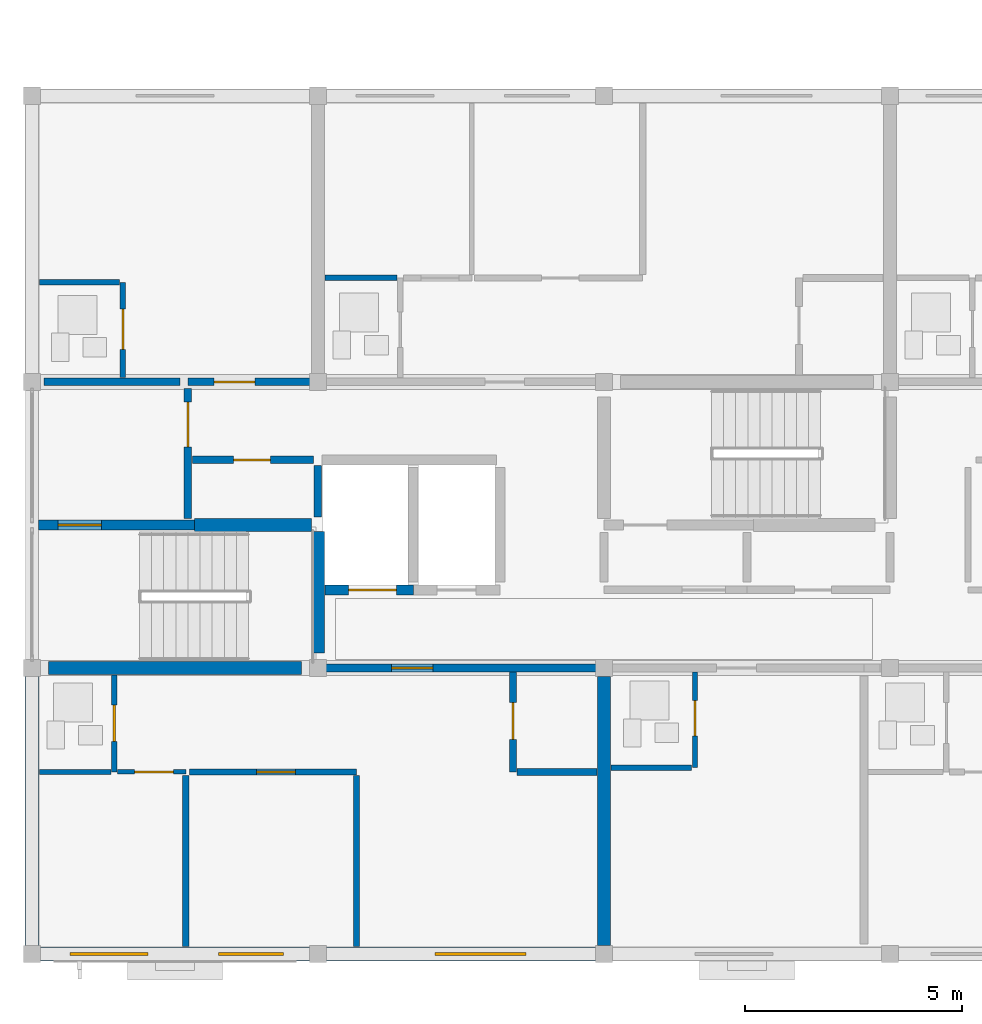
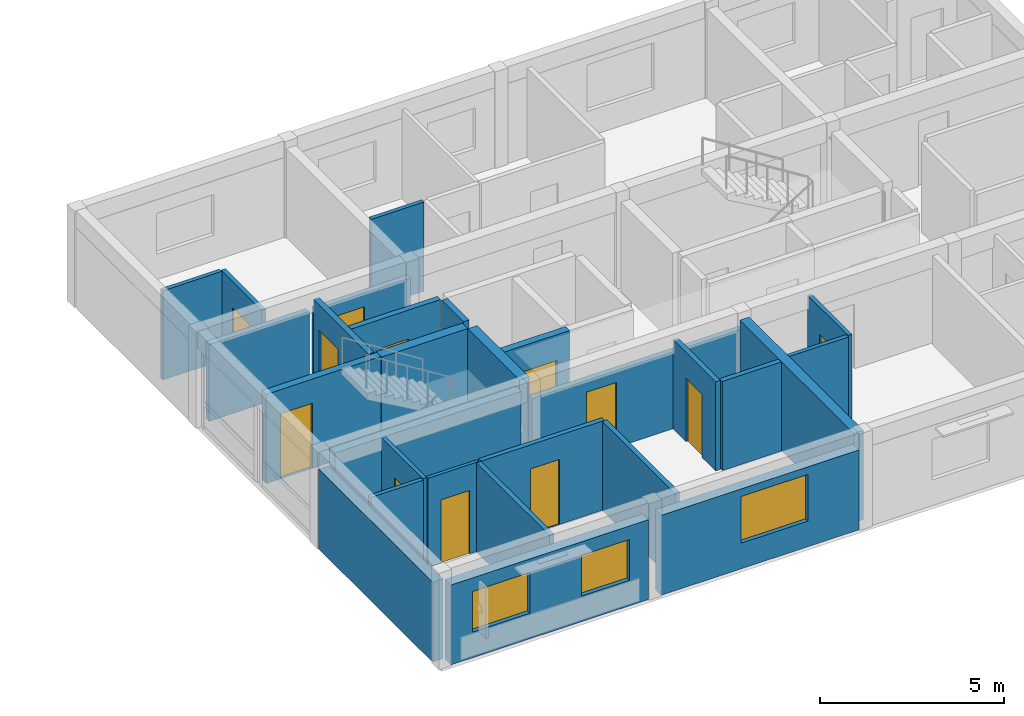
# One storey, part 27 of 53: 28 walls, 12 doors, 3 windows, 15 openings.
"""IFC4 building model written with IfcOpenShell, lengths in metres."""

from ifc_helpers import new_model, si_unit, direction, frame, frame_2d, origin, place, context, subcontext, project, spatial, rectangle, extrude, material, layer, layer_set, type_object, element, fill, save


model = new_model("IFC4")

# Units and contexts
model_context = context("Model", 3, precision=1e-05, world=origin(), true_north=direction((0.0, 1.0)))
body_context = subcontext(model_context, "Body", "Model", "MODEL_VIEW")
ifc_project = project(units=[si_unit("LENGTHUNIT", "METRE"), si_unit("AREAUNIT", "SQUARE_METRE"), si_unit("VOLUMEUNIT", "CUBIC_METRE"), si_unit("PLANEANGLEUNIT", "RADIAN"), si_unit("MASSUNIT", "GRAM", prefix="KILO")], contexts=[model_context])

# Site, building, storey
site_placement = place(None, origin())
site = spatial("IfcSite", under=ifc_project, at=site_placement, CompositionType="ELEMENT")
building_placement = place(site_placement, origin())
building = spatial("IfcBuilding", under=site, at=building_placement, Name="Kernevlak Ridge Housing Community", CompositionType="ELEMENT")
storey_placement = place(building_placement, frame((0.0, 0.0, 18.0)))
storey = spatial("IfcBuildingStorey", under=building, at=storey_placement, Name="L05", CompositionType="ELEMENT", Elevation=18.0)

# Wall, openings, windows
ifc_material_1 = material(Name="Concrete block masonry M10", Category="masonry")
ifc_layer_1 = layer(ifc_material_1, 0.320068359375, Name="Concrete block masonry M10")
ifc_layer_set_1 = layer_set([ifc_layer_1], Name="Concrete block masonry M10")
wall_type_1 = type_object("IfcWallType", Name="EW-02", PredefinedType="STANDARD", material=ifc_layer_set_1)
wall_1_placement = place(storey_placement, frame((15.800048828125, 15.60009765625, 0.0), z_axis=(0.0, 0.0, 1.0), x_axis=(1.0, 0.0, 0.0)))
wall_1 = element("IfcWall", 1, at=wall_1_placement, inside=storey, type_object=wall_type_1, Name="Exterior wall EW-02 L05 781", PredefinedType="STANDARD", context=body_context, shape_type="SweptSolid", body=[
    extrude(rectangle(XDim=6.199951171875, YDim=0.320068359375, at=frame_2d((3.10009765625, 0.0))), origin(), (0.0, 0.0, 1.0), 2.64990234375),
])
opening_1_placement = place(wall_1_placement, frame((0.675048828125, 0.0, 0.85009765625)))
opening_1 = element("IfcOpeningElement", 2, at=opening_1_placement, cuts=wall_1, Name="Opening WT-03", PredefinedType="OPENING", context=body_context, shape_type="SweptSolid", body=[
    extrude(rectangle(XDim=1.800048828125, YDim=1.35009765625, at=frame_2d((0.89990234375, 0.675048828125))), frame((0.0, 0.169921875, 0.0), z_axis=(0.0, -1.0, 0.0), x_axis=(1.0, 0.0, 0.0)), (0.0, 0.0, 1.0), 0.340087890625),
])
opening_2_placement = place(wall_1_placement, frame((4.10009765625, 0.0, 0.85009765625)))
opening_2 = element("IfcOpeningElement", 3, at=opening_2_placement, cuts=wall_1, Name="Opening WT-02", PredefinedType="OPENING", context=body_context, shape_type="SweptSolid", body=[
    extrude(rectangle(XDim=1.5, YDim=1.35009765625, at=frame_2d((0.75, 0.675048828125))), frame((0.0, 0.169921875, 0.0), z_axis=(0.0, -1.0, 0.0), x_axis=(1.0, 0.0, 0.0)), (0.0, 0.0, 1.0), 0.340087890625),
])
ifc_material_2 = material(Name="Aluminium EN AW-6060 anodised and laminated glass", Category="aluminium")
window_type_1 = type_object("IfcWindowType", Name="WT-02", PartitioningType="SINGLE_PANEL", PredefinedType="WINDOW", material=ifc_material_2)
window_1_placement = place(opening_2_placement, origin())
window_1 = element("IfcWindow", 4, at=window_1_placement, inside=storey, type_object=window_type_1, Name="Window WT-02 L05 651", OverallHeight=1.35009765625, OverallWidth=1.5, PartitioningType="SINGLE_PANEL", PredefinedType="WINDOW", context=body_context, shape_type="SweptSolid", body=[
    extrude(rectangle(XDim=1.5, YDim=1.35009765625, at=frame_2d((0.75, 0.675048828125))), frame((0.0, 0.030029296875, 0.0), z_axis=(0.0, -1.0, 0.0), x_axis=(1.0, 0.0, 0.0)), (0.0, 0.0, 1.0), 0.06005859375),
])
fill(opening_2, window_1)
window_type_2 = type_object("IfcWindowType", Name="WT-03", PartitioningType="SINGLE_PANEL", PredefinedType="WINDOW", material=ifc_material_2)
window_2_placement = place(opening_1_placement, origin())
window_2 = element("IfcWindow", 5, at=window_2_placement, inside=storey, type_object=window_type_2, Name="Window WT-03 L05 650", OverallHeight=1.35009765625, OverallWidth=1.800048828125, PartitioningType="SINGLE_PANEL", PredefinedType="WINDOW", context=body_context, shape_type="SweptSolid", body=[
    extrude(rectangle(XDim=1.800048828125, YDim=1.35009765625, at=frame_2d((0.89990234375, 0.675048828125))), frame((0.0, 0.030029296875, 0.0), z_axis=(0.0, -1.0, 0.0), x_axis=(1.0, 0.0, 0.0)), (0.0, 0.0, 1.0), 0.06005859375),
])
fill(opening_1, window_2)

# Wall, opening, window
wall_2_placement = place(storey_placement, frame((22.39990234375, 15.60009765625, 0.0), z_axis=(0.0, 0.0, 1.0), x_axis=(1.0, 0.0, 0.0)))
wall_2 = element("IfcWall", 6, at=wall_2_placement, inside=storey, type_object=wall_type_1, Name="Exterior wall EW-02 L05 782", PredefinedType="STANDARD", context=body_context, shape_type="SweptSolid", body=[
    extrude(rectangle(XDim=6.2001953125, YDim=0.320068359375, at=frame_2d((3.10009765625, 0.0))), origin(), (0.0, 0.0, 1.0), 2.64990234375),
])
opening_3_placement = place(wall_2_placement, frame((2.49609375, 0.0, 0.85009765625)))
opening_3 = element("IfcOpeningElement", 7, at=opening_3_placement, cuts=wall_2, Name="Opening WT-05", PredefinedType="OPENING", context=body_context, shape_type="SweptSolid", body=[
    extrude(rectangle(XDim=2.10009765625, YDim=1.550048828125, at=frame_2d((1.050048828125, 0.77490234375))), frame((0.0, 0.169921875, 0.0), z_axis=(0.0, -1.0, 0.0), x_axis=(1.0, 0.0, 0.0)), (0.0, 0.0, 1.0), 0.340087890625),
])
window_type_3 = type_object("IfcWindowType", Name="WT-05", PartitioningType="SINGLE_PANEL", PredefinedType="WINDOW", material=ifc_material_2)
window_3_placement = place(opening_3_placement, origin())
window_3 = element("IfcWindow", 8, at=window_3_placement, inside=storey, type_object=window_type_3, Name="Window WT-05 L05 652", OverallHeight=1.550048828125, OverallWidth=2.10009765625, PartitioningType="SINGLE_PANEL", PredefinedType="WINDOW", context=body_context, shape_type="SweptSolid", body=[
    extrude(rectangle(XDim=2.10009765625, YDim=1.550048828125, at=frame_2d((1.050048828125, 0.77490234375))), frame((0.0, 0.030029296875, 0.0), z_axis=(0.0, -1.0, 0.0), x_axis=(1.0, 0.0, 0.0)), (0.0, 0.0, 1.0), 0.06005859375),
])
fill(opening_3, window_3)

# Wall
wall_3_placement = place(storey_placement, frame((15.60009765625, 15.800048828125, 0.0), z_axis=(0.0, 0.0, 1.0), x_axis=(0.0, 1.0, 0.0)))
element("IfcWall", 9, at=wall_3_placement, inside=storey, type_object=wall_type_1, Name="Exterior wall EW-02 L05 791", PredefinedType="STANDARD", context=body_context, shape_type="SweptSolid", body=[
    extrude(rectangle(XDim=6.199951171875, YDim=0.320068359375, at=frame_2d((3.10009765625, 0.0))), origin(), (0.0, 0.0, 1.0), 2.64990234375),
])

# Wall, opening, door
ifc_material_3 = material(Name="Concrete C35/45", Category="concrete")
ifc_layer_2 = layer(ifc_material_3, 0.22509765625, Name="Concrete C35/45")
ifc_layer_set_2 = layer_set([ifc_layer_2], Name="Concrete C35/45")
wall_type_2 = type_object("IfcWallType", Name="PW-01", PredefinedType="STANDARD", material=ifc_layer_set_2)
wall_4_placement = place(storey_placement, frame((15.75, 25.5, 0.0), z_axis=(0.0, 0.0, 1.0), x_axis=(1.0, 0.0, 0.0)))
wall_4 = element("IfcWall", 10, at=wall_4_placement, inside=storey, type_object=wall_type_2, Name="Interior wall PW-01 WAL-INT-L05-3242", PredefinedType="STANDARD", context=body_context, shape_type="SweptSolid", body=[
    extrude(rectangle(XDim=3.60009765625, YDim=0.22509765625, at=frame_2d((1.800048828125, 0.0))), origin(), (0.0, 0.0, 1.0), 2.9599609375),
])
opening_4_placement = place(wall_4_placement, frame((0.449951171875, 0.0, 0.0)))
opening_4 = element("IfcOpeningElement", 11, at=opening_4_placement, cuts=wall_4, Name="Opening E645", PredefinedType="OPENING", context=body_context, shape_type="SweptSolid", body=[
    extrude(rectangle(XDim=1.0, YDim=2.159912109375, at=frame_2d((0.5, 1.080078125))), frame((0.0, 0.12255859375, 0.0), z_axis=(0.0, -1.0, 0.0), x_axis=(1.0, 0.0, 0.0)), (0.0, 0.0, 1.0), 0.2451171875),
])
ifc_material_4 = material(Name="Fire-rated sheet steel leaf", Category="steel")
door_type_1 = type_object("IfcDoorType", Name="DT-15", OperationType="NOTDEFINED", PredefinedType="DOOR", material=ifc_material_4)
door_1_placement = place(opening_4_placement, origin())
door_1 = element("IfcDoor", 12, at=door_1_placement, inside=storey, type_object=door_type_1, Name="Block D Stair 1 fire door E645", OperationType="SINGLE_SWING_RIGHT", OverallHeight=2.159912109375, OverallWidth=1.0, PredefinedType="DOOR", context=body_context, shape_type="SweptSolid", body=[
    extrude(rectangle(XDim=1.0, YDim=2.159912109375, at=frame_2d((0.5, 1.080078125))), frame((0.0, 0.02490234375, 0.0), z_axis=(0.0, -1.0, 0.0), x_axis=(1.0, 0.0, 0.0)), (0.0, 0.0, 1.0), 0.050048828125),
])
fill(opening_4, door_1)

wall_5_placement = place(storey_placement, frame((22.360107421875, 24.0, 0.0), z_axis=(0.0, 0.0, 1.0), x_axis=(1.0, 0.0, 0.0)))
wall_5 = element("IfcWall", 13, at=wall_5_placement, inside=storey, type_object=wall_type_2, Name="Interior wall PW-01 WAL-INT-L05-3246", PredefinedType="STANDARD", context=body_context, shape_type="SweptSolid", body=[
    extrude(rectangle(XDim=2.039794921875, YDim=0.22509765625, at=frame_2d((1.02001953125, 0.0))), origin(), (0.0, 0.0, 1.0), 2.9599609375),
])
opening_5_placement = place(wall_5_placement, frame((0.550048828125, 0.0, 0.0)))
opening_5 = element("IfcOpeningElement", 14, at=opening_5_placement, cuts=wall_5, Name="Opening LD88", PredefinedType="OPENING", context=body_context, shape_type="SweptSolid", body=[
    extrude(rectangle(XDim=1.10009765625, YDim=2.10009765625, at=frame_2d((0.550048828125, 1.050048828125))), frame((0.0, 0.12255859375, 0.0), z_axis=(0.0, -1.0, 0.0), x_axis=(1.0, 0.0, 0.0)), (0.0, 0.0, 1.0), 0.2451171875),
])
ifc_material_5 = material(Name="Stainless steel EN 1.4401", Category="steel")
door_type_2 = type_object("IfcDoorType", Name="DT-LD1", OperationType="DOUBLE_DOOR_SLIDING", PredefinedType="DOOR", material=ifc_material_5)
door_2_placement = place(opening_5_placement, origin())
door_2 = element("IfcDoor", 15, at=door_2_placement, inside=storey, type_object=door_type_2, Name="Lift LF-D1 landing door LD88", OperationType="DOUBLE_DOOR_SLIDING", OverallHeight=2.10009765625, OverallWidth=1.10009765625, PredefinedType="DOOR", context=body_context, shape_type="SweptSolid", body=[
    extrude(rectangle(XDim=1.10009765625, YDim=2.10009765625, at=frame_2d((0.550048828125, 1.050048828125))), frame((0.0, 0.02490234375, 0.0), z_axis=(0.0, -1.0, 0.0), x_axis=(1.0, 0.0, 0.0)), (0.0, 0.0, 1.0), 0.050048828125),
])
fill(opening_5, door_2)

ifc_layer_3 = layer(ifc_material_1, 0.175048828125, Name="Concrete block masonry M10")
ifc_layer_set_3 = layer_set([ifc_layer_3], Name="Concrete block masonry M10")
wall_type_3 = type_object("IfcWallType", Name="PW-02", PredefinedType="PARTITIONING", material=ifc_layer_set_3)
wall_6_placement = place(storey_placement, frame((19.199951171875, 25.64990234375, 0.0), z_axis=(0.0, 0.0, 1.0), x_axis=(0.0, 1.0, 0.0)))
wall_6 = element("IfcWall", 16, at=wall_6_placement, inside=storey, type_object=wall_type_3, Name="Interior wall PW-02 WAL-INT-L05-3243", PredefinedType="PARTITIONING", context=body_context, shape_type="SweptSolid", body=[
    extrude(rectangle(XDim=3.0, YDim=0.175048828125, at=frame_2d((1.5, 0.0))), origin(), (0.0, 0.0, 1.0), 2.9599609375),
])
opening_6_placement = place(wall_6_placement, frame((1.64990234375, 0.0, 0.0)))
opening_6 = element("IfcOpeningElement", 17, at=opening_6_placement, cuts=wall_6, Name="Opening E646", PredefinedType="OPENING", context=body_context, shape_type="SweptSolid", body=[
    extrude(rectangle(XDim=1.0400390625, YDim=2.1201171875, at=frame_2d((0.52001953125, 1.06005859375))), frame((0.0, 0.097412109375, 0.0), z_axis=(0.0, -1.0, 0.0), x_axis=(1.0, 0.0, 0.0)), (0.0, 0.0, 1.0), 0.195068359375),
])
door_type_3 = type_object("IfcDoorType", Name="DT-16", OperationType="NOTDEFINED", PredefinedType="DOOR", material=ifc_material_4)
door_3_placement = place(opening_6_placement, origin())
door_3 = element("IfcDoor", 18, at=door_3_placement, inside=storey, type_object=door_type_3, Name="Block D Firefighting lobby 1 door E646", OperationType="SINGLE_SWING_LEFT", OverallHeight=2.1201171875, OverallWidth=1.0400390625, PredefinedType="DOOR", context=body_context, shape_type="SweptSolid", body=[
    extrude(rectangle(XDim=1.0400390625, YDim=2.1201171875, at=frame_2d((0.52001953125, 1.06005859375))), frame((0.0, 0.02490234375, 0.0), z_axis=(0.0, -1.0, 0.0), x_axis=(1.0, 0.0, 0.0)), (0.0, 0.0, 1.0), 0.050048828125),
])
fill(opening_6, door_3)

wall_7_placement = place(storey_placement, frame((19.300048828125, 27.0, 0.0), z_axis=(0.0, 0.0, 1.0), x_axis=(1.0, 0.0, 0.0)))
wall_7 = element("IfcWall", 19, at=wall_7_placement, inside=storey, type_object=wall_type_3, Name="Interior wall PW-02 WAL-INT-L05-3244", PredefinedType="PARTITIONING", context=body_context, shape_type="SweptSolid", body=[
    extrude(rectangle(XDim=2.800048828125, YDim=0.175048828125, at=frame_2d((1.39990234375, 0.0))), origin(), (0.0, 0.0, 1.0), 2.9599609375),
])
opening_7_placement = place(wall_7_placement, frame((0.949951171875, 0.0, 0.0)))
opening_7 = element("IfcOpeningElement", 20, at=opening_7_placement, cuts=wall_7, Name="Opening E647", PredefinedType="OPENING", context=body_context, shape_type="SweptSolid", body=[
    extrude(rectangle(XDim=0.85009765625, YDim=2.0, at=frame_2d((0.425048828125, 1.0))), frame((0.0, 0.097412109375, 0.0), z_axis=(0.0, -1.0, 0.0), x_axis=(1.0, 0.0, 0.0)), (0.0, 0.0, 1.0), 0.195068359375),
])
door_type_4 = type_object("IfcDoorType", Name="DT-07", OperationType="NOTDEFINED", PredefinedType="DOOR", material=ifc_material_4)
door_4_placement = place(opening_7_placement, origin())
door_4 = element("IfcDoor", 21, at=door_4_placement, inside=storey, type_object=door_type_4, Name="Block D Riser shaft door E647", OperationType="SINGLE_SWING_RIGHT", OverallHeight=2.0, OverallWidth=0.85009765625, PredefinedType="DOOR", context=body_context, shape_type="SweptSolid", body=[
    extrude(rectangle(XDim=0.85009765625, YDim=2.0, at=frame_2d((0.425048828125, 1.0))), frame((0.0, 0.02490234375, 0.0), z_axis=(0.0, -1.0, 0.0), x_axis=(1.0, 0.0, 0.0)), (0.0, 0.0, 1.0), 0.050048828125),
])
fill(opening_7, door_4)

# Wall
wall_8_placement = place(storey_placement, frame((22.199951171875, 25.679931640625, 0.0), z_axis=(0.0, 0.0, 1.0), x_axis=(0.0, 1.0, 0.0)))
element("IfcWall", 22, at=wall_8_placement, inside=storey, type_object=wall_type_3, Name="Interior wall PW-02 WAL-INT-L05-3245", PredefinedType="PARTITIONING", context=body_context, shape_type="SweptSolid", body=[
    extrude(rectangle(XDim=1.190185546875, YDim=0.175048828125, at=frame_2d((0.59521484375, 0.0))), origin(), (0.0, 0.0, 1.0), 2.9599609375),
])

# Wall, opening, door
wall_9_placement = place(storey_placement, frame((22.199951171875, 22.199951171875, 0.0), z_axis=(0.0, 0.0, 1.0), x_axis=(1.0, 0.0, 0.0)))
wall_9 = element("IfcWall", 23, at=wall_9_placement, inside=storey, type_object=wall_type_3, Name="Interior wall PW-02 WAL-INT-L05-3261", PredefinedType="PARTITIONING", context=body_context, shape_type="SweptSolid", body=[
    extrude(rectangle(XDim=6.60009765625, YDim=0.175048828125, at=frame_2d((3.300048828125, 0.0))), origin(), (0.0, 0.0, 1.0), 2.550048828125),
])
opening_8_placement = place(wall_9_placement, frame((1.699951171875, 0.0, 0.0)))
opening_8 = element("IfcOpeningElement", 24, at=opening_8_placement, cuts=wall_9, Name="Opening E652", PredefinedType="OPENING", context=body_context, shape_type="SweptSolid", body=[
    extrude(rectangle(XDim=0.949951171875, YDim=2.159912109375, at=frame_2d((0.47509765625, 1.080078125))), frame((0.0, 0.097412109375, 0.0), z_axis=(0.0, -1.0, 0.0), x_axis=(1.0, 0.0, 0.0)), (0.0, 0.0, 1.0), 0.195068359375),
])
ifc_material_6 = material(Name="Hardwood timber solid-core fire leaf", Category="wood")
door_type_5 = type_object("IfcDoorType", Name="DT-02", OperationType="NOTDEFINED", PredefinedType="DOOR", material=ifc_material_6)
door_5_placement = place(opening_8_placement, origin())
door_5 = element("IfcDoor", 25, at=door_5_placement, inside=storey, type_object=door_type_5, Name="Flat D0511 entrance fire door E652", OperationType="SINGLE_SWING_LEFT", OverallHeight=2.159912109375, OverallWidth=0.949951171875, PredefinedType="DOOR", context=body_context, shape_type="SweptSolid", body=[
    extrude(rectangle(XDim=0.949951171875, YDim=2.159912109375, at=frame_2d((0.47509765625, 1.080078125))), frame((0.0, 0.02490234375, 0.0), z_axis=(0.0, -1.0, 0.0), x_axis=(1.0, 0.0, 0.0)), (0.0, 0.0, 1.0), 0.050048828125),
])
fill(opening_8, door_5)

# Wall
wall_10_placement = place(storey_placement, frame((15.8798828125, 28.800048828125, 0.0), z_axis=(0.0, 0.0, 1.0), x_axis=(1.0, 0.0, 0.0)))
element("IfcWall", 26, at=wall_10_placement, inside=storey, type_object=wall_type_3, Name="Interior wall PW-02 WAL-INT-L05-3281", PredefinedType="PARTITIONING", context=body_context, shape_type="SweptSolid", body=[
    extrude(rectangle(XDim=3.14013671875, YDim=0.175048828125, at=frame_2d((1.570068359375, 0.0))), origin(), (0.0, 0.0, 1.0), 2.550048828125),
])

# Wall, opening, door
wall_11_placement = place(storey_placement, frame((19.199951171875, 28.800048828125, 0.0), z_axis=(0.0, 0.0, 1.0), x_axis=(1.0, 0.0, 0.0)))
wall_11 = element("IfcWall", 27, at=wall_11_placement, inside=storey, type_object=wall_type_3, Name="Interior wall PW-02 WAL-INT-L05-3282", PredefinedType="PARTITIONING", context=body_context, shape_type="SweptSolid", body=[
    extrude(rectangle(XDim=3.0, YDim=0.175048828125, at=frame_2d((1.5, 0.0))), origin(), (0.0, 0.0, 1.0), 2.550048828125),
])
opening_9_placement = place(wall_11_placement, frame((0.60009765625, 0.0, 0.0)))
opening_9 = element("IfcOpeningElement", 28, at=opening_9_placement, cuts=wall_11, Name="Opening E663", PredefinedType="OPENING", context=body_context, shape_type="SweptSolid", body=[
    extrude(rectangle(XDim=0.949951171875, YDim=2.10009765625, at=frame_2d((0.47509765625, 1.050048828125))), frame((0.0, 0.097412109375, 0.0), z_axis=(0.0, -1.0, 0.0), x_axis=(1.0, 0.0, 0.0)), (0.0, 0.0, 1.0), 0.195068359375),
])
door_type_6 = type_object("IfcDoorType", Name="DT-01", OperationType="NOTDEFINED", PredefinedType="DOOR", material=ifc_material_6)
door_6_placement = place(opening_9_placement, origin())
door_6 = element("IfcDoor", 29, at=door_6_placement, inside=storey, type_object=door_type_6, Name="Flat D0521 entrance fire door E663", OperationType="SINGLE_SWING_RIGHT", OverallHeight=2.10009765625, OverallWidth=0.949951171875, PredefinedType="DOOR", context=body_context, shape_type="SweptSolid", body=[
    extrude(rectangle(XDim=0.949951171875, YDim=2.10009765625, at=frame_2d((0.47509765625, 1.050048828125))), frame((0.0, 0.02490234375, 0.0), z_axis=(0.0, -1.0, 0.0), x_axis=(1.0, 0.0, 0.0)), (0.0, 0.0, 1.0), 0.050048828125),
])
fill(opening_9, door_6)

# Wall
ifc_layer_4 = layer(ifc_material_1, 0.14501953125, Name="Concrete block masonry M10")
ifc_layer_set_4 = layer_set([ifc_layer_4], Name="Concrete block masonry M10")
wall_type_4 = type_object("IfcWallType", Name="PW-03", PredefinedType="PARTITIONING", material=ifc_layer_set_4)
wall_12_placement = place(storey_placement, frame((19.14990234375, 19.719970703125, 0.0), z_axis=(0.0, 0.0, 1.0), x_axis=(0.0, -1.0, 0.0)))
element("IfcWall", 30, at=wall_12_placement, inside=storey, type_object=wall_type_4, Name="Interior wall PW-03 WAL-INT-L05-3267", PredefinedType="PARTITIONING", context=body_context, shape_type="SweptSolid", body=[
    extrude(rectangle(XDim=3.949951171875, YDim=0.14501953125, at=frame_2d((1.97509765625, 0.0))), origin(), (0.0, 0.0, 1.0), 2.9599609375),
])

# Wall, opening, door
wall_13_placement = place(storey_placement, frame((19.232421875, 19.800048828125, 0.0), z_axis=(0.0, 0.0, 1.0), x_axis=(1.0, 0.0, 0.0)))
wall_13 = element("IfcWall", 31, at=wall_13_placement, inside=storey, type_object=wall_type_4, Name="Interior wall PW-03 WAL-INT-L05-3268", PredefinedType="PARTITIONING", context=body_context, shape_type="SweptSolid", body=[
    extrude(rectangle(XDim=3.859619140625, YDim=0.14501953125, at=frame_2d((1.9296875, 0.0))), origin(), (0.0, 0.0, 1.0), 2.9599609375),
])
opening_10_placement = place(wall_13_placement, frame((1.5458984375, 0.0, 0.0)))
opening_10 = element("IfcOpeningElement", 32, at=opening_10_placement, cuts=wall_13, Name="Opening E656", PredefinedType="OPENING", context=body_context, shape_type="SweptSolid", body=[
    extrude(rectangle(XDim=0.89990234375, YDim=2.159912109375, at=frame_2d((0.449951171875, 1.080078125))), frame((0.0, 0.08251953125, 0.0), z_axis=(0.0, -1.0, 0.0), x_axis=(1.0, 0.0, 0.0)), (0.0, 0.0, 1.0), 0.1650390625),
])
ifc_material_7 = material(Name="Hardwood timber leaf", Category="wood")
door_type_7 = type_object("IfcDoorType", Name="DT-22", OperationType="NOTDEFINED", PredefinedType="DOOR", material=ifc_material_7)
door_7_placement = place(opening_10_placement, origin())
door_7 = element("IfcDoor", 33, at=door_7_placement, inside=storey, type_object=door_type_7, Name="Flat D0511 bedroom door E656", OperationType="SINGLE_SWING_LEFT", OverallHeight=2.159912109375, OverallWidth=0.89990234375, PredefinedType="DOOR", context=body_context, shape_type="SweptSolid", body=[
    extrude(rectangle(XDim=0.89990234375, YDim=2.159912109375, at=frame_2d((0.449951171875, 1.080078125))), frame((0.0, 0.02490234375, 0.0), z_axis=(0.0, -1.0, 0.0), x_axis=(1.0, 0.0, 0.0)), (0.0, 0.0, 1.0), 0.050048828125),
])
fill(opening_10, door_7)

# Wall
wall_14_placement = place(storey_placement, frame((23.092041015625, 19.717529296875, 0.0), z_axis=(0.0, 0.0, 1.0), x_axis=(0.0, -1.0, 0.0)))
element("IfcWall", 34, at=wall_14_placement, inside=storey, type_object=wall_type_4, Name="Interior wall PW-03 WAL-INT-L05-3269", PredefinedType="PARTITIONING", context=body_context, shape_type="SweptSolid", body=[
    extrude(rectangle(XDim=3.947509765625, YDim=0.14501953125, at=frame_2d((1.9736328125, 0.0))), origin(), (0.0, 0.0, 1.0), 2.9599609375),
])

# Wall, opening, door
ifc_material_8 = material(Name="Gypsum plasterboard EN 520", Category="gypsum")
ifc_layer_5 = layer(ifc_material_8, 0.125, Name="Gypsum plasterboard EN 520")
ifc_layer_set_5 = layer_set([ifc_layer_5], Name="Gypsum plasterboard EN 520")
wall_type_5 = type_object("IfcWallType", Name="PW-04", PredefinedType="PARTITIONING", material=ifc_layer_set_5)
wall_15_placement = place(storey_placement, frame((17.5, 22.0400390625, 0.0), z_axis=(0.0, 0.0, 1.0), x_axis=(0.0, -1.0, 0.0)))
wall_15 = element("IfcWall", 35, at=wall_15_placement, inside=storey, type_object=wall_type_5, Name="Interior wall PW-04 WAL-INT-L05-3262", PredefinedType="PARTITIONING", context=body_context, shape_type="SweptSolid", body=[
    extrude(rectangle(XDim=2.239990234375, YDim=0.125, at=frame_2d((1.1201171875, 0.0))), origin(), (0.0, 0.0, 1.0), 2.9599609375),
])
opening_11_placement = place(wall_15_placement, frame((0.699951171875, 0.0, 0.0)))
opening_11 = element("IfcOpeningElement", 36, at=opening_11_placement, cuts=wall_15, Name="Opening E653", PredefinedType="OPENING", context=body_context, shape_type="SweptSolid", body=[
    extrude(rectangle(XDim=0.840087890625, YDim=2.06005859375, at=frame_2d((0.419921875, 1.030029296875))), frame((0.0, 0.072509765625, 0.0), z_axis=(0.0, -1.0, 0.0), x_axis=(1.0, 0.0, 0.0)), (0.0, 0.0, 1.0), 0.14501953125),
])
ifc_material_9 = material(Name="Hardwood timber moisture-resistant leaf", Category="wood")
door_type_8 = type_object("IfcDoorType", Name="DT-27", OperationType="NOTDEFINED", PredefinedType="DOOR", material=ifc_material_9)
door_8_placement = place(opening_11_placement, origin())
door_8 = element("IfcDoor", 37, at=door_8_placement, inside=storey, type_object=door_type_8, Name="Flat D0511 bathroom door E653", OperationType="SINGLE_SWING_RIGHT", OverallHeight=2.06005859375, OverallWidth=0.840087890625, PredefinedType="DOOR", context=body_context, shape_type="SweptSolid", body=[
    extrude(rectangle(XDim=0.840087890625, YDim=2.06005859375, at=frame_2d((0.419921875, 1.030029296875))), frame((0.0, 0.02490234375, 0.0), z_axis=(0.0, -1.0, 0.0), x_axis=(1.0, 0.0, 0.0)), (0.0, 0.0, 1.0), 0.050048828125),
])
fill(opening_11, door_8)

# Wall
wall_16_placement = place(storey_placement, frame((15.77001953125, 19.800048828125, 0.0), z_axis=(0.0, 0.0, 1.0), x_axis=(1.0, 0.0, 0.0)))
element("IfcWall", 38, at=wall_16_placement, inside=storey, type_object=wall_type_5, Name="Interior wall PW-04 WAL-INT-L05-3263", PredefinedType="PARTITIONING", context=body_context, shape_type="SweptSolid", body=[
    extrude(rectangle(XDim=1.64990234375, YDim=0.125, at=frame_2d((0.824951171875, 0.0))), origin(), (0.0, 0.0, 1.0), 2.9599609375),
])

# Wall, opening, door
wall_17_placement = place(storey_placement, frame((30.89990234375, 22.1025390625, 0.0), z_axis=(0.0, 0.0, 1.0), x_axis=(0.0, -1.0, 0.0)))
wall_17 = element("IfcWall", 39, at=wall_17_placement, inside=storey, type_object=wall_type_5, Name="Interior wall PW-04 WAL-INT-L05-3271", PredefinedType="PARTITIONING", context=body_context, shape_type="SweptSolid", body=[
    extrude(rectangle(XDim=2.20263671875, YDim=0.125, at=frame_2d((1.101318359375, 0.0))), origin(), (0.0, 0.0, 1.0), 2.9599609375),
])
opening_12_placement = place(wall_17_placement, frame((0.64990234375, 0.0, 0.0)))
opening_12 = element("IfcOpeningElement", 40, at=opening_12_placement, cuts=wall_17, Name="Opening E658", PredefinedType="OPENING", context=body_context, shape_type="SweptSolid", body=[
    extrude(rectangle(XDim=0.820068359375, YDim=2.050048828125, at=frame_2d((0.41015625, 1.02490234375))), frame((0.0, 0.072509765625, 0.0), z_axis=(0.0, -1.0, 0.0), x_axis=(1.0, 0.0, 0.0)), (0.0, 0.0, 1.0), 0.14501953125),
])
door_type_9 = type_object("IfcDoorType", Name="DT-30", OperationType="NOTDEFINED", PredefinedType="DOOR", material=ifc_material_9)
door_9_placement = place(opening_12_placement, origin())
door_9 = element("IfcDoor", 41, at=door_9_placement, inside=storey, type_object=door_type_9, Name="Flat D0512 bathroom door E658", OperationType="SINGLE_SWING_LEFT", OverallHeight=2.050048828125, OverallWidth=0.820068359375, PredefinedType="DOOR", context=body_context, shape_type="SweptSolid", body=[
    extrude(rectangle(XDim=0.820068359375, YDim=2.050048828125, at=frame_2d((0.41015625, 1.02490234375))), frame((0.0, 0.02490234375, 0.0), z_axis=(0.0, -1.0, 0.0), x_axis=(1.0, 0.0, 0.0)), (0.0, 0.0, 1.0), 0.050048828125),
])
fill(opening_12, door_9)

# Wall
wall_18_placement = place(storey_placement, frame((28.9599609375, 19.89990234375, 0.0), z_axis=(0.0, 0.0, 1.0), x_axis=(1.0, 0.0, 0.0)))
element("IfcWall", 42, at=wall_18_placement, inside=storey, type_object=wall_type_5, Name="Interior wall PW-04 WAL-INT-L05-3272", PredefinedType="PARTITIONING", context=body_context, shape_type="SweptSolid", body=[
    extrude(rectangle(XDim=1.860107421875, YDim=0.125, at=frame_2d((0.93017578125, 0.0))), origin(), (0.0, 0.0, 1.0), 2.9599609375),
])

# Wall, opening, door
wall_19_placement = place(storey_placement, frame((17.699951171875, 28.8974609375, 0.0), z_axis=(0.0, 0.0, 1.0), x_axis=(0.0, 1.0, 0.0)))
wall_19 = element("IfcWall", 43, at=wall_19_placement, inside=storey, type_object=wall_type_5, Name="Interior wall PW-04 WAL-INT-L05-3283", PredefinedType="PARTITIONING", context=body_context, shape_type="SweptSolid", body=[
    extrude(rectangle(XDim=2.20263671875, YDim=0.125, at=frame_2d((1.101318359375, 0.0))), origin(), (0.0, 0.0, 1.0), 2.9599609375),
])
opening_13_placement = place(wall_19_placement, frame((0.64990234375, 0.0, 0.0)))
opening_13 = element("IfcOpeningElement", 44, at=opening_13_placement, cuts=wall_19, Name="Opening E664", PredefinedType="OPENING", context=body_context, shape_type="SweptSolid", body=[
    extrude(rectangle(XDim=0.93994140625, YDim=2.080078125, at=frame_2d((0.469970703125, 1.0400390625))), frame((0.0, 0.072509765625, 0.0), z_axis=(0.0, -1.0, 0.0), x_axis=(1.0, 0.0, 0.0)), (0.0, 0.0, 1.0), 0.14501953125),
])
door_type_10 = type_object("IfcDoorType", Name="DT-23", OperationType="NOTDEFINED", PredefinedType="DOOR", material=ifc_material_9)
door_10_placement = place(opening_13_placement, origin())
door_10 = element("IfcDoor", 45, at=door_10_placement, inside=storey, type_object=door_type_10, Name="Flat D0521 bathroom door E664", OperationType="SINGLE_SWING_LEFT", OverallHeight=2.080078125, OverallWidth=0.93994140625, PredefinedType="DOOR", context=body_context, shape_type="SweptSolid", body=[
    extrude(rectangle(XDim=0.93994140625, YDim=2.080078125, at=frame_2d((0.469970703125, 1.0400390625))), frame((0.0, 0.02490234375, 0.0), z_axis=(0.0, -1.0, 0.0), x_axis=(1.0, 0.0, 0.0)), (0.0, 0.0, 1.0), 0.050048828125),
])
fill(opening_13, door_10)

# Walls
wall_20_placement = place(storey_placement, frame((15.77001953125, 31.10009765625, 0.0), z_axis=(0.0, 0.0, 1.0), x_axis=(1.0, 0.0, 0.0)))
element("IfcWall", 46, at=wall_20_placement, inside=storey, type_object=wall_type_5, Name="Interior wall PW-04 WAL-INT-L05-3284", PredefinedType="PARTITIONING", context=body_context, shape_type="SweptSolid", body=[
    extrude(rectangle(XDim=1.85009765625, YDim=0.125, at=frame_2d((0.925048828125, 0.0))), origin(), (0.0, 0.0, 1.0), 2.9599609375),
])
wall_21_placement = place(storey_placement, frame((22.360107421875, 31.199951171875, 0.0), z_axis=(0.0, 0.0, 1.0), x_axis=(1.0, 0.0, 0.0)))
element("IfcWall", 47, at=wall_21_placement, inside=storey, type_object=wall_type_5, Name="Interior wall PW-04 WAL-INT-L05-3287", PredefinedType="PARTITIONING", context=body_context, shape_type="SweptSolid", body=[
    extrude(rectangle(XDim=1.659912109375, YDim=0.125, at=frame_2d((0.830078125, 0.0))), origin(), (0.0, 0.0, 1.0), 2.9599609375),
])

# Wall, opening, door
ifc_layer_6 = layer(ifc_material_8, 0.155029296875, Name="Gypsum plasterboard EN 520")
ifc_layer_set_6 = layer_set([ifc_layer_6], Name="Gypsum plasterboard EN 520")
wall_type_6 = type_object("IfcWallType", Name="PW-05", PredefinedType="PARTITIONING", material=ifc_layer_set_6)
wall_22_placement = place(storey_placement, frame((26.699951171875, 22.1025390625, 0.0), z_axis=(0.0, 0.0, 1.0), x_axis=(0.0, -1.0, 0.0)))
wall_22 = element("IfcWall", 48, at=wall_22_placement, inside=storey, type_object=wall_type_6, Name="Interior wall PW-05 WAL-INT-L05-3264", PredefinedType="PARTITIONING", context=body_context, shape_type="SweptSolid", body=[
    extrude(rectangle(XDim=2.302490234375, YDim=0.155029296875, at=frame_2d((1.1513671875, 0.0))), origin(), (0.0, 0.0, 1.0), 2.9599609375),
])
opening_14_placement = place(wall_22_placement, frame((0.699951171875, 0.0, 0.0)))
opening_14 = element("IfcOpeningElement", 49, at=opening_14_placement, cuts=wall_22, Name="Opening E654", PredefinedType="OPENING", context=body_context, shape_type="SweptSolid", body=[
    extrude(rectangle(XDim=0.85009765625, YDim=2.10009765625, at=frame_2d((0.425048828125, 1.050048828125))), frame((0.0, 0.08740234375, 0.0), z_axis=(0.0, -1.0, 0.0), x_axis=(1.0, 0.0, 0.0)), (0.0, 0.0, 1.0), 0.175048828125),
])
door_type_11 = type_object("IfcDoorType", Name="DT-03", OperationType="NOTDEFINED", PredefinedType="DOOR", material=ifc_material_7)
door_11_placement = place(opening_14_placement, origin())
door_11 = element("IfcDoor", 50, at=door_11_placement, inside=storey, type_object=door_type_11, Name="Flat D0511 kitchen door E654", OperationType="SINGLE_SWING_LEFT", OverallHeight=2.10009765625, OverallWidth=0.85009765625, PredefinedType="DOOR", context=body_context, shape_type="SweptSolid", body=[
    extrude(rectangle(XDim=0.85009765625, YDim=2.10009765625, at=frame_2d((0.425048828125, 1.050048828125))), frame((0.0, 0.02490234375, 0.0), z_axis=(0.0, -1.0, 0.0), x_axis=(1.0, 0.0, 0.0)), (0.0, 0.0, 1.0), 0.050048828125),
])
fill(opening_14, door_11)

# Wall
wall_23_placement = place(storey_placement, frame((26.78759765625, 19.800048828125, 0.0), z_axis=(0.0, 0.0, 1.0), x_axis=(1.0, 0.0, 0.0)))
element("IfcWall", 51, at=wall_23_placement, inside=storey, type_object=wall_type_6, Name="Interior wall PW-05 WAL-INT-L05-3265", PredefinedType="PARTITIONING", context=body_context, shape_type="SweptSolid", body=[
    extrude(rectangle(XDim=1.852294921875, YDim=0.155029296875, at=frame_2d((0.92626953125, 0.0))), origin(), (0.0, 0.0, 1.0), 2.9599609375),
])

# Wall, opening, door
ifc_layer_7 = layer(ifc_material_8, 0.10498046875, Name="Gypsum plasterboard EN 520")
ifc_layer_set_7 = layer_set([ifc_layer_7], Name="Gypsum plasterboard EN 520")
wall_type_7 = type_object("IfcWallType", Name="PW-06", PredefinedType="PARTITIONING", material=ifc_layer_set_7)
wall_24_placement = place(storey_placement, frame((17.572509765625, 19.800048828125, 0.0), z_axis=(0.0, 0.0, 1.0), x_axis=(1.0, 0.0, 0.0)))
wall_24 = element("IfcWall", 52, at=wall_24_placement, inside=storey, type_object=wall_type_7, Name="Interior wall PW-06 WAL-INT-L05-3266", PredefinedType="PARTITIONING", context=body_context, shape_type="SweptSolid", body=[
    extrude(rectangle(XDim=1.577392578125, YDim=0.10498046875, at=frame_2d((0.78857421875, 0.0))), origin(), (0.0, 0.0, 1.0), 2.9599609375),
])
opening_15_placement = place(wall_24_placement, frame((0.39990234375, 0.0, 0.0)))
opening_15 = element("IfcOpeningElement", 53, at=opening_15_placement, cuts=wall_24, Name="Opening E655", PredefinedType="OPENING", context=body_context, shape_type="SweptSolid", body=[
    extrude(rectangle(XDim=0.89990234375, YDim=2.10009765625, at=frame_2d((0.449951171875, 1.050048828125))), frame((0.0, 0.0625, 0.0), z_axis=(0.0, -1.0, 0.0), x_axis=(1.0, 0.0, 0.0)), (0.0, 0.0, 1.0), 0.125),
])
door_type_12 = type_object("IfcDoorType", Name="DT-21", OperationType="NOTDEFINED", PredefinedType="DOOR", material=ifc_material_7)
door_12_placement = place(opening_15_placement, origin())
door_12 = element("IfcDoor", 54, at=door_12_placement, inside=storey, type_object=door_type_12, Name="Flat D0511 bedroom door E655", OperationType="SINGLE_SWING_RIGHT", OverallHeight=2.10009765625, OverallWidth=0.89990234375, PredefinedType="DOOR", context=body_context, shape_type="SweptSolid", body=[
    extrude(rectangle(XDim=0.89990234375, YDim=2.10009765625, at=frame_2d((0.449951171875, 1.050048828125))), frame((0.0, 0.02490234375, 0.0), z_axis=(0.0, -1.0, 0.0), x_axis=(1.0, 0.0, 0.0)), (0.0, 0.0, 1.0), 0.050048828125),
])
fill(opening_15, door_12)

# Walls
ifc_material_10 = material(Name="Concrete C40/50", Category="concrete")
ifc_layer_8 = layer(ifc_material_10, 0.300048828125, Name="Concrete C40/50")
ifc_layer_set_8 = layer_set([ifc_layer_8], Name="Concrete C40/50")
wall_type_8 = type_object("IfcWallType", Name="SW-02", PredefinedType="SHEAR", material=ifc_layer_set_8)
wall_25_placement = place(storey_placement, frame((15.97998046875, 22.199951171875, 0.0), z_axis=(0.0, 0.0, 1.0), x_axis=(1.0, 0.0, 0.0)))
element("IfcWall", 55, at=wall_25_placement, inside=storey, type_object=wall_type_8, Name="Shear wall SW-02 Block D L05 557", PredefinedType="SHEAR", context=body_context, shape_type="SweptSolid", body=[
    extrude(rectangle(XDim=5.840087890625, YDim=0.300048828125, at=frame_2d((2.919921875, 0.0))), origin(), (0.0, 0.0, 1.0), 2.9599609375),
])
wall_26_placement = place(storey_placement, frame((19.35009765625, 25.5, 0.0), z_axis=(0.0, 0.0, 1.0), x_axis=(1.0, 0.0, 0.0)))
element("IfcWall", 56, at=wall_26_placement, inside=storey, type_object=wall_type_8, Name="Shear wall SW-02 Block D L05 558", PredefinedType="SHEAR", context=body_context, shape_type="SweptSolid", body=[
    extrude(rectangle(XDim=2.699951171875, YDim=0.300048828125, at=frame_2d((1.35009765625, 0.0))), origin(), (0.0, 0.0, 1.0), 2.9599609375),
])
wall_27_placement = place(storey_placement, frame((22.199951171875, 22.550048828125, 0.0), z_axis=(0.0, 0.0, 1.0), x_axis=(0.0, 1.0, 0.0)))
element("IfcWall", 57, at=wall_27_placement, inside=storey, type_object=wall_type_8, Name="Shear wall SW-02 Block D L05 559", PredefinedType="SHEAR", context=body_context, shape_type="SweptSolid", body=[
    extrude(rectangle(XDim=2.800048828125, YDim=0.300048828125, at=frame_2d((1.39990234375, 0.0))), origin(), (0.0, 0.0, 1.0), 2.9599609375),
])
wall_28_placement = place(storey_placement, frame((28.800048828125, 15.800048828125, 0.0), z_axis=(0.0, 0.0, 1.0), x_axis=(0.0, 1.0, 0.0)))
element("IfcWall", 58, at=wall_28_placement, inside=storey, type_object=wall_type_8, Name="Shear wall SW-02 Block D L05 564", PredefinedType="SHEAR", context=body_context, shape_type="SweptSolid", body=[
    extrude(rectangle(XDim=6.199951171875, YDim=0.300048828125, at=frame_2d((3.10009765625, 0.0))), origin(), (0.0, 0.0, 1.0), 2.9599609375),
])

save(model, "model.ifc")
